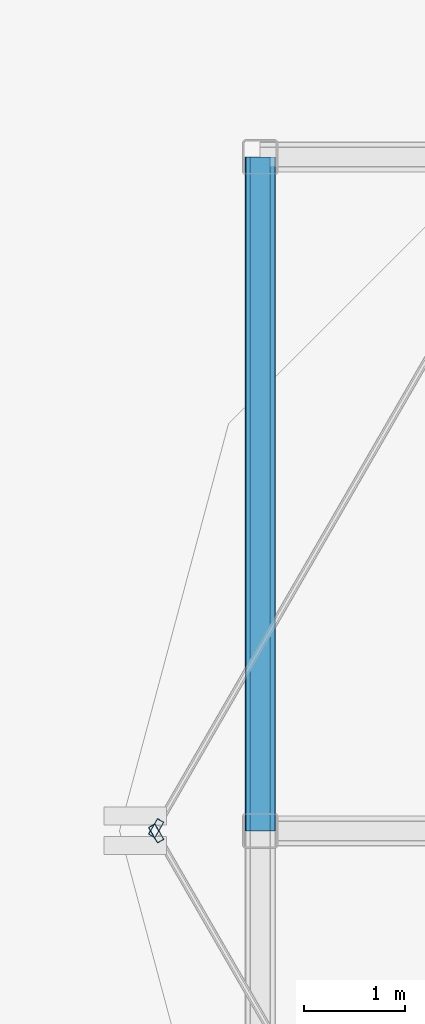
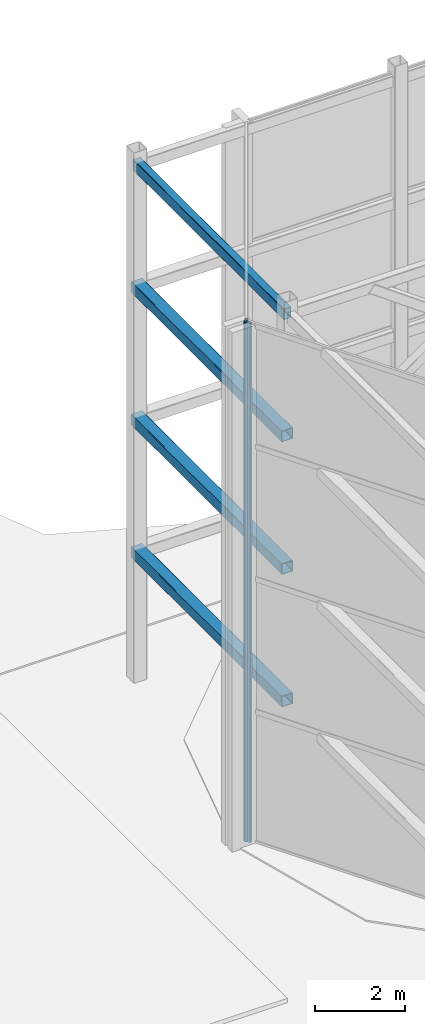
# One storey, part 5 of 24: 4 beams, 2 members, 2 elements without a shape of their own.
"""IFC4 building model written with IfcOpenShell, lengths in metres."""

from ifc_helpers import new_model, si_unit, direction, frame, origin, origin_2d, place, context, subcontext, project, spatial, hollow_rectangle, extrude, material, layer, layer_set, material_profile, profile_set, type_object, element, aggregate, save


model = new_model("IFC4")

# Units and contexts
model_context = context("Model", 3, precision=1e-05, world=origin(), true_north=direction((0.0, 1.0)))
body_context = subcontext(model_context, "Body", "Model", "MODEL_VIEW")
ifc_project = project(units=[si_unit("LENGTHUNIT", "METRE"), si_unit("AREAUNIT", "SQUARE_METRE"), si_unit("VOLUMEUNIT", "CUBIC_METRE"), si_unit("PLANEANGLEUNIT", "RADIAN"), si_unit("MASSUNIT", "GRAM", prefix="KILO")], contexts=[model_context])

# Site, building, storey
site_placement = place(None, origin())
site = spatial("IfcSite", under=ifc_project, at=site_placement, CompositionType="ELEMENT")
building_placement = place(site_placement, origin())
building = spatial("IfcBuilding", under=site, at=building_placement, Name="Solvaryn Broadcast Tower", CompositionType="ELEMENT")
storey_placement = place(building_placement, frame((0.0, 0.0, 307.800048828125)))
storey = spatial("IfcBuildingStorey", under=building, at=storey_placement, Name="Roof Main", CompositionType="ELEMENT", Elevation=307.800048828125)

# Beams
ifc_material_1 = material(Name="Steel ASTM A500 Grade C", Category="steel")
ifc_material_profile_1 = material_profile(ifc_material_1, hollow_rectangle(XDim=0.199951171875, YDim=0.300048828125, WallThickness=0.011962890625, InnerFilletRadius=0.011962890625, OuterFilletRadius=0.02392578125, at=origin_2d()))
ifc_profile_set_1 = profile_set([ifc_material_profile_1], Name="Steel ASTM A500 Grade C")
beam_type_1 = type_object("IfcBeamType", Name="BM-CROWN-CAP", PredefinedType="BEAM", material=ifc_profile_set_1)
beam_placement = place(storey_placement, frame((29.39990234375, 24.60009765625, 13.949951171875), z_axis=(0.0, -1.0, 0.0), x_axis=(1.0, 0.0, 0.0)))
element("IfcBeam", 1, at=beam_placement, inside=storey, type_object=beam_type_1, Name="Roof Main CROWN FRAME Ring Beam ET4-7", PredefinedType="BEAM", context=body_context, shape_type="SweptSolid", body=[
    extrude(hollow_rectangle(XDim=0.199951171875, YDim=0.300048828125, WallThickness=0.011962890625, InnerFilletRadius=0.011962890625, OuterFilletRadius=0.02392578125, at=origin_2d()), origin(), (0.0, 0.0, 1.0), 6.7001953125),
])
ifc_material_2 = material(Name="Steel ASTM A500 Grade C", Category="steel")
ifc_material_profile_2 = material_profile(ifc_material_2, hollow_rectangle(XDim=0.300048828125, YDim=0.300048828125, WallThickness=0.01416015625, InnerFilletRadius=0.01416015625, OuterFilletRadius=0.0283203125, at=origin_2d()))
ifc_profile_set_2 = profile_set([ifc_material_profile_2], Name="Steel ASTM A500 Grade C")
beam_type_2 = type_object("IfcBeamType", Name="BM-CROWN-RING", PredefinedType="BEAM", material=ifc_profile_set_2)
for number, where, z_axis, x_axis, name in (
    (2, (29.39990234375, 24.60009765625, 3.449951171875), (0.0, -1.0, 0.0), (1.0, 0.0, 0.0), "Roof Main CROWN FRAME Ring Beam ET1-7"),
    (3, (29.39990234375, 24.60009765625, 7.050048828125), (0.0, -1.0, 0.0), (1.0, 0.0, 0.0), "Roof Main CROWN FRAME Ring Beam ET2-7"),
    (4, (29.39990234375, 24.60009765625, 10.64990234375), (0.0, -1.0, 0.0), (1.0, 0.0, 0.0), "Roof Main CROWN FRAME Ring Beam ET3-7"),
):
    element("IfcBeam", number, at=place(storey_placement, frame(where, z_axis=z_axis, x_axis=x_axis)), inside=storey, type_object=beam_type_2, Name=name, PredefinedType="BEAM", context=body_context, shape_type="SweptSolid", body=[
        extrude(hollow_rectangle(XDim=0.300048828125, YDim=0.300048828125, WallThickness=0.01416015625, InnerFilletRadius=0.01416015625, OuterFilletRadius=0.0283203125, at=origin_2d()), origin(), (0.0, 0.0, 1.0), 6.7001953125),
    ])

# Curtain wall, member
ifc_material_3 = material(Name="Aluminium and Terracotta Unitised Curtain Wall", Category="masonry")
ifc_layer = layer(ifc_material_3, 0.2099609375)
ifc_layer_set = layer_set([ifc_layer], Name="CW-SYS6-CROWN")
curtain_wall_type = type_object("IfcCurtainWallType", Name="CW-SYS6-CROWN", PredefinedType="NOTDEFINED", material=ifc_layer_set)
curtain_wall_1_placement = place(storey_placement, origin())
curtain_wall_1 = element("IfcCurtainWall", 5, at=curtain_wall_1_placement, inside=storey, type_object=curtain_wall_type, Name="Roof Main Split-Top Crown Curtain Wall E3", PredefinedType="NOTDEFINED")
ifc_material_4 = material(Name="Anodised Aluminium 6063-T6", Category="aluminium")
ifc_material_profile_3 = material_profile(ifc_material_4, hollow_rectangle(XDim=0.074951171875, YDim=0.179931640625, WallThickness=0.00390625, InnerFilletRadius=0.00390625, OuterFilletRadius=0.008056640625, at=origin_2d()))
ifc_profile_set_3 = profile_set([ifc_material_profile_3], Name="Anodised Aluminium 6063-T6")
member_type = type_object("IfcMemberType", Name="CW-MUL-180", PredefinedType="MULLION", material=ifc_profile_set_3)
member_1_placement = place(storey_placement, frame((28.364990234375, 17.926025390625, 0.0), z_axis=(0.0, 0.0, 1.0), x_axis=(0.866035181372, -0.499983064339, 0.0)))
member_1 = element("IfcMember", 6, at=member_1_placement, type_object=member_type, Name="CWS6 mullion 2", PredefinedType="MULLION", context=body_context, shape_type="SweptSolid", body=[
    extrude(hollow_rectangle(XDim=0.074951171875, YDim=0.179931640625, WallThickness=0.00390625, InnerFilletRadius=0.00390625, OuterFilletRadius=0.008056640625, at=origin_2d()), origin(), (0.0, 0.0, 1.0), 14.099853515625),
])
aggregate(curtain_wall_1, [member_1])

curtain_wall_2_placement = place(storey_placement, origin())
curtain_wall_2 = element("IfcCurtainWall", 7, at=curtain_wall_2_placement, inside=storey, type_object=curtain_wall_type, Name="Roof Main Split-Top Crown Curtain Wall E4", PredefinedType="NOTDEFINED")
member_2_placement = place(storey_placement, frame((28.364990234375, 17.8740234375, 0.0), z_axis=(0.0, 0.0, 1.0), x_axis=(0.866035181372, 0.499983064339, 0.0)))
member_2 = element("IfcMember", 8, at=member_2_placement, type_object=member_type, Name="CWS6 mullion 1", PredefinedType="MULLION", context=body_context, shape_type="SweptSolid", body=[
    extrude(hollow_rectangle(XDim=0.074951171875, YDim=0.179931640625, WallThickness=0.00390625, InnerFilletRadius=0.00390625, OuterFilletRadius=0.008056640625, at=origin_2d()), origin(), (0.0, 0.0, 1.0), 14.099853515625),
])
aggregate(curtain_wall_2, [member_2])

save(model, "model.ifc")
